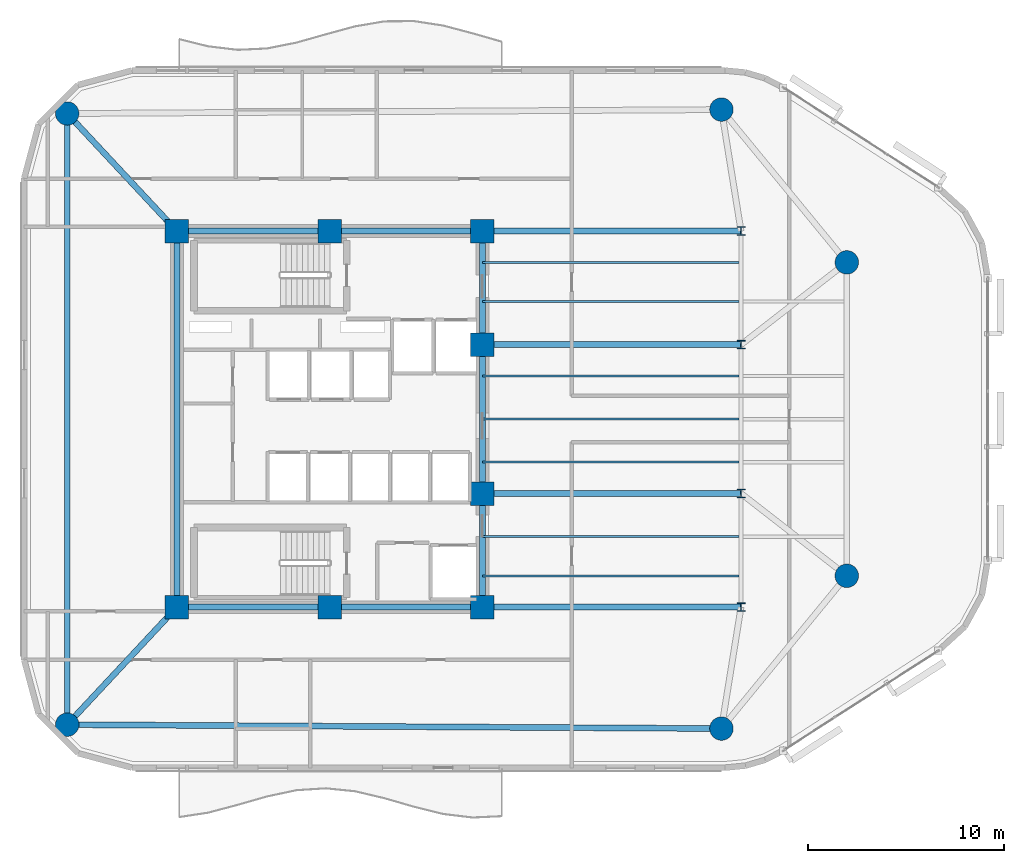
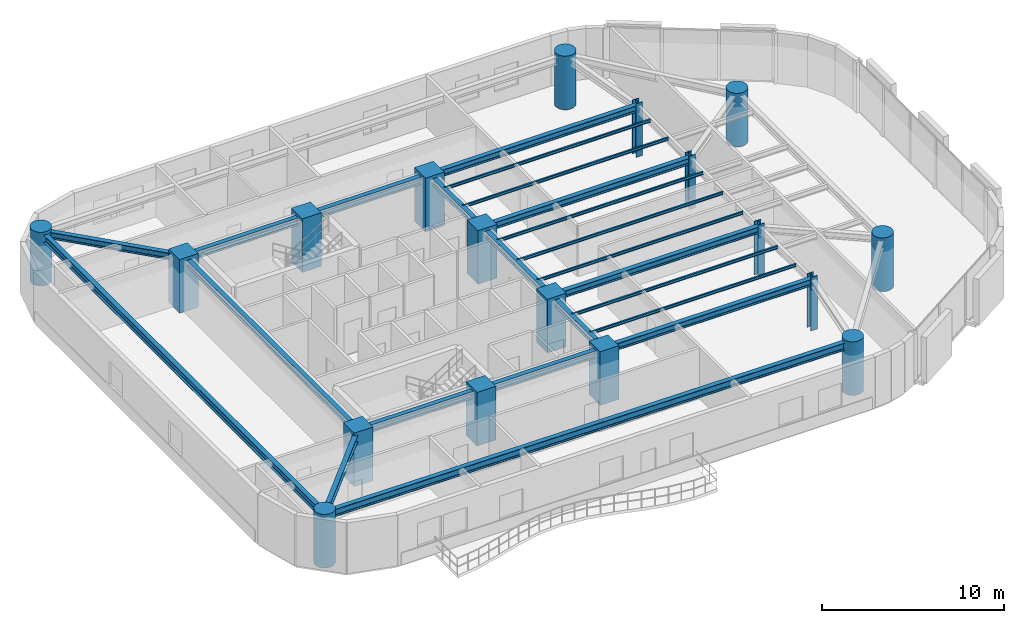
# One storey, part 1 of 14: 21 beams, 18 columns.
"""IFC4 building model written with IfcOpenShell, lengths in metres."""

from ifc_helpers import new_model, si_unit, direction, frame, origin, origin_2d, place, context, subcontext, project, spatial, rectangle, circle, i_section, extrude, material, material_profile, profile_set, type_object, element, save


model = new_model("IFC4")

# Units and contexts
model_context = context("Model", 3, precision=1e-05, world=origin(), true_north=direction((0.0, 1.0)))
body_context = subcontext(model_context, "Body", "Model", "MODEL_VIEW")
ifc_project = project(units=[si_unit("LENGTHUNIT", "METRE"), si_unit("AREAUNIT", "SQUARE_METRE"), si_unit("VOLUMEUNIT", "CUBIC_METRE"), si_unit("PLANEANGLEUNIT", "RADIAN"), si_unit("MASSUNIT", "GRAM", prefix="KILO")], contexts=[model_context])

# Site, building, storey
site_placement = place(None, origin())
site = spatial("IfcSite", under=ifc_project, at=site_placement, CompositionType="ELEMENT")
building_placement = place(site_placement, origin())
building = spatial("IfcBuilding", under=site, at=building_placement, Name="An Khanh Terracotta Commons", CompositionType="ELEMENT")
storey_placement = place(building_placement, frame((0.0, 0.0, 158.199951171875)))
storey = spatial("IfcBuildingStorey", under=building, at=storey_placement, Name="L41", CompositionType="ELEMENT", Elevation=158.199951171875)

# Columns
ifc_material_1 = material(Name="Concrete C60/75", Category="concrete")
ifc_material_profile_1 = material_profile(ifc_material_1, circle(Radius=0.60009765625, at=origin_2d()), Name="CFST1200")
ifc_profile_set_1 = profile_set([ifc_material_profile_1], Name="Concrete C60/75")
column_type_1 = type_object("IfcColumnType", Name="COL-CFST1200", PredefinedType="COLUMN", material=ifc_profile_set_1)
for number, where, z_axis, x_axis, name in (
    (1, (16.0, 8.39990234375, 0.0), (0.0, 0.0, 1.0), (1.0, 0.0, 0.0), "L41 Perimeter CFST Mega-Column MC-01"),
    (2, (49.39990234375, 8.199951171875, 0.0), (0.0, 0.0, 1.0), (1.0, 0.0, 0.0), "L41 Perimeter CFST Mega-Column MC-02"),
    (3, (55.800048828125, 16.0, 0.0), (0.0, 0.0, 1.0), (1.0, 0.0, 0.0), "L41 Perimeter CFST Mega-Column MC-03"),
    (4, (55.800048828125, 32.0, 0.0), (0.0, 0.0, 1.0), (1.0, 0.0, 0.0), "L41 Perimeter CFST Mega-Column MC-04"),
    (5, (49.39990234375, 39.800048828125, 0.0), (0.0, 0.0, 1.0), (1.0, 0.0, 0.0), "L41 Perimeter CFST Mega-Column MC-05"),
    (6, (16.0, 39.60009765625, 0.0), (0.0, 0.0, 1.0), (1.0, 0.0, 0.0), "L41 Perimeter CFST Mega-Column MC-06"),
):
    element("IfcColumn", number, at=place(storey_placement, frame(where, z_axis=z_axis, x_axis=x_axis)), inside=storey, type_object=column_type_1, Name=name, PredefinedType="COLUMN", context=body_context, shape_type="SweptSolid", body=[
        extrude(circle(Radius=0.60009765625, at=origin_2d()), origin(), (0.0, 0.0, 1.0), 3.60009765625),
    ])
ifc_material_2 = material(Name="Steel S460ML", Category="steel")
ifc_material_profile_2 = material_profile(ifc_material_2, i_section(OverallWidth=0.406005859375, OverallDepth=0.43994140625, WebThickness=0.02392578125, FlangeThickness=0.0390625, FilletRadius=0.014892578125, at=origin_2d()), Name="HD400x314")
ifc_profile_set_2 = profile_set([ifc_material_profile_2], Name="Steel S460ML")
column_type_2 = type_object("IfcColumnType", Name="COL-HD400x314", PredefinedType="COLUMN", material=ifc_profile_set_2)
for number, where, z_axis, x_axis, name in (
    (7, (50.39990234375, 14.39990234375, 0.0), (0.0, 0.0, 1.0), (1.0, 0.0, 0.0), "L41 Interior Frame Column TC-01"),
    (8, (50.39990234375, 20.199951171875, 0.0), (0.0, 0.0, 1.0), (1.0, 0.0, 0.0), "L41 Interior Frame Column TC-02"),
    (9, (50.39990234375, 27.800048828125, 0.0), (0.0, 0.0, 1.0), (1.0, 0.0, 0.0), "L41 Interior Frame Column TC-03"),
    (10, (50.39990234375, 33.60009765625, 0.0), (0.0, 0.0, 1.0), (1.0, 0.0, 0.0), "L41 Interior Frame Column TC-04"),
):
    element("IfcColumn", number, at=place(storey_placement, frame(where, z_axis=z_axis, x_axis=x_axis)), inside=storey, type_object=column_type_2, Name=name, PredefinedType="COLUMN", context=body_context, shape_type="SweptSolid", body=[
        extrude(i_section(OverallWidth=0.406005859375, OverallDepth=0.43994140625, WebThickness=0.02392578125, FlangeThickness=0.0390625, FilletRadius=0.014892578125, at=origin_2d()), origin(), (0.0, 0.0, 1.0), 3.60009765625),
    ])
ifc_material_profile_3 = material_profile(ifc_material_1, rectangle(XDim=1.199951171875, YDim=1.199951171875, at=origin_2d()), Name="RC1200x1200")
ifc_profile_set_3 = profile_set([ifc_material_profile_3], Name="Concrete C60/75")
column_type_3 = type_object("IfcColumnType", Name="COL-RC1200x1200", PredefinedType="COLUMN", material=ifc_profile_set_3)
for number, where, z_axis, x_axis, name in (
    (11, (21.60009765625, 14.39990234375, 0.0), (0.0, 0.0, 1.0), (1.0, 0.0, 0.0), "L41 Core Boundary Column CC-01"),
    (12, (29.39990234375, 14.39990234375, 0.0), (0.0, 0.0, 1.0), (1.0, 0.0, 0.0), "L41 Core Boundary Column CC-02"),
    (13, (37.199951171875, 14.39990234375, 0.0), (0.0, 0.0, 1.0), (1.0, 0.0, 0.0), "L41 Core Boundary Column CC-03"),
    (14, (37.199951171875, 20.199951171875, 0.0), (0.0, 0.0, 1.0), (1.0, 0.0, 0.0), "L41 Core Boundary Column CC-04"),
    (15, (37.199951171875, 27.800048828125, 0.0), (0.0, 0.0, 1.0), (1.0, 0.0, 0.0), "L41 Core Boundary Column CC-05"),
    (16, (37.199951171875, 33.60009765625, 0.0), (0.0, 0.0, 1.0), (1.0, 0.0, 0.0), "L41 Core Boundary Column CC-06"),
    (17, (29.39990234375, 33.60009765625, 0.0), (0.0, 0.0, 1.0), (1.0, 0.0, 0.0), "L41 Core Boundary Column CC-07"),
    (18, (21.60009765625, 33.60009765625, 0.0), (0.0, 0.0, 1.0), (1.0, 0.0, 0.0), "L41 Core Boundary Column CC-08"),
):
    element("IfcColumn", number, at=place(storey_placement, frame(where, z_axis=z_axis, x_axis=x_axis)), inside=storey, type_object=column_type_3, Name=name, PredefinedType="COLUMN", context=body_context, shape_type="SweptSolid", body=[
        extrude(rectangle(XDim=1.199951171875, YDim=1.199951171875, at=origin_2d()), origin(), (0.0, 0.0, 1.0), 3.60009765625),
    ])

# Beams
ifc_material_3 = material(Name="Steel S355J2", Category="steel")
ifc_material_profile_4 = material_profile(ifc_material_3, i_section(OverallWidth=0.300048828125, OverallDepth=0.449951171875, WebThickness=0.013916015625, FlangeThickness=0.02587890625, FilletRadius=0.027099609375, at=origin_2d()), Name="HEB450")
ifc_profile_set_4 = profile_set([ifc_material_profile_4], Name="Steel S355J2")
beam_type_1 = type_object("IfcBeamType", Name="BM-HEB450", PredefinedType="BEAM", material=ifc_profile_set_4)
beam_1_placement = place(storey_placement, frame((37.199951171875, 14.39990234375, 3.175048828125), z_axis=(0.0, 1.0, 0.0), x_axis=(-1.0, 0.0, 0.0)))
element("IfcBeam", 19, at=beam_1_placement, inside=storey, type_object=beam_type_1, Name="L41 Core East Coupling Girder 1", PredefinedType="BEAM", context=body_context, shape_type="SweptSolid", body=[
    extrude(i_section(OverallWidth=0.300048828125, OverallDepth=0.449951171875, WebThickness=0.013916015625, FlangeThickness=0.02587890625, FilletRadius=0.027099609375, at=origin_2d()), origin(), (0.0, 0.0, 1.0), 5.800048828125),
])
beam_2_placement = place(storey_placement, frame((37.199951171875, 20.199951171875, 3.175048828125), z_axis=(0.0, 1.0, 0.0), x_axis=(-1.0, 0.0, 0.0)))
element("IfcBeam", 20, at=beam_2_placement, inside=storey, type_object=beam_type_1, Name="L41 Core East Coupling Girder 2", PredefinedType="BEAM", context=body_context, shape_type="SweptSolid", body=[
    extrude(i_section(OverallWidth=0.300048828125, OverallDepth=0.449951171875, WebThickness=0.013916015625, FlangeThickness=0.02587890625, FilletRadius=0.027099609375, at=origin_2d()), origin(), (0.0, 0.0, 1.0), 7.60009765625),
])
beam_3_placement = place(storey_placement, frame((37.199951171875, 27.800048828125, 3.175048828125), z_axis=(0.0, 1.0, 0.0), x_axis=(-1.0, 0.0, 0.0)))
element("IfcBeam", 21, at=beam_3_placement, inside=storey, type_object=beam_type_1, Name="L41 Core East Coupling Girder 3", PredefinedType="BEAM", context=body_context, shape_type="SweptSolid", body=[
    extrude(i_section(OverallWidth=0.300048828125, OverallDepth=0.449951171875, WebThickness=0.013916015625, FlangeThickness=0.02587890625, FilletRadius=0.027099609375, at=origin_2d()), origin(), (0.0, 0.0, 1.0), 5.800048828125),
])
beam_4_placement = place(storey_placement, frame((21.60009765625, 14.39990234375, 3.175048828125), z_axis=(0.0, 1.0, 0.0), x_axis=(-1.0, 0.0, 0.0)))
element("IfcBeam", 22, at=beam_4_placement, inside=storey, type_object=beam_type_1, Name="L41 Core West Coupling Girder", PredefinedType="BEAM", context=body_context, shape_type="SweptSolid", body=[
    extrude(i_section(OverallWidth=0.300048828125, OverallDepth=0.449951171875, WebThickness=0.013916015625, FlangeThickness=0.02587890625, FilletRadius=0.027099609375, at=origin_2d()), origin(), (0.0, 0.0, 1.0), 19.2001953125),
])
for number, where, z_axis, x_axis, name in (
    (23, (37.199951171875, 14.39990234375, 3.175048828125), (1.0, 0.0, 0.0), (0.0, 1.0, 0.0), "L41 East Primary Floor Girder 1"),
    (24, (37.199951171875, 20.199951171875, 3.175048828125), (1.0, 0.0, 0.0), (0.0, 1.0, 0.0), "L41 East Primary Floor Girder 2"),
    (25, (37.199951171875, 27.800048828125, 3.175048828125), (1.0, 0.0, 0.0), (0.0, 1.0, 0.0), "L41 East Primary Floor Girder 3"),
    (26, (37.199951171875, 33.60009765625, 3.175048828125), (1.0, 0.0, 0.0), (0.0, 1.0, 0.0), "L41 East Primary Floor Girder 4"),
):
    element("IfcBeam", number, at=place(storey_placement, frame(where, z_axis=z_axis, x_axis=x_axis)), inside=storey, type_object=beam_type_1, Name=name, PredefinedType="BEAM", context=body_context, shape_type="SweptSolid", body=[
        extrude(i_section(OverallWidth=0.300048828125, OverallDepth=0.449951171875, WebThickness=0.013916015625, FlangeThickness=0.02587890625, FilletRadius=0.027099609375, at=origin_2d()), origin(), (0.0, 0.0, 1.0), 13.199951171875),
    ])
for number, where, z_axis, x_axis, name in (
    (27, (16.0, 8.39990234375, 3.175048828125), (0.682324609438, 0.731049333052, 0.0), (-0.731049333052, 0.682324609438, 0.0), "L41 Mega-Column Tie Girder 1"),
    (28, (16.0, 39.60009765625, 3.175048828125), (0.682324609438, -0.731049333052, 0.0), (0.731049333052, 0.682324609438, 0.0), "L41 Mega-Column Tie Girder 6"),
):
    element("IfcBeam", number, at=place(storey_placement, frame(where, z_axis=z_axis, x_axis=x_axis)), inside=storey, type_object=beam_type_1, Name=name, PredefinedType="BEAM", context=body_context, shape_type="SweptSolid", body=[
        extrude(i_section(OverallWidth=0.300048828125, OverallDepth=0.449951171875, WebThickness=0.013916015625, FlangeThickness=0.02587890625, FilletRadius=0.027099609375, at=origin_2d()), origin(), (0.0, 0.0, 1.0), 8.207275390625),
    ])
ifc_material_profile_5 = material_profile(ifc_material_3, i_section(OverallWidth=0.300048828125, OverallDepth=0.5, WebThickness=0.014404296875, FlangeThickness=0.028076171875, FilletRadius=0.027099609375, at=origin_2d()), Name="HEB500")
ifc_profile_set_5 = profile_set([ifc_material_profile_5], Name="Steel S355J2")
beam_type_2 = type_object("IfcBeamType", Name="BM-HEB500", PredefinedType="BEAM", material=ifc_profile_set_5)
for number, where, z_axis, x_axis, name in (
    (29, (21.60009765625, 14.39990234375, 3.150146484375), (1.0, 0.0, 0.0), (0.0, 1.0, 0.0), "L41 Core South Coupling Girder"),
    (30, (21.60009765625, 33.60009765625, 3.150146484375), (1.0, 0.0, 0.0), (0.0, 1.0, 0.0), "L41 Core North Coupling Girder"),
):
    element("IfcBeam", number, at=place(storey_placement, frame(where, z_axis=z_axis, x_axis=x_axis)), inside=storey, type_object=beam_type_2, Name=name, PredefinedType="BEAM", context=body_context, shape_type="SweptSolid", body=[
        extrude(i_section(OverallWidth=0.300048828125, OverallDepth=0.5, WebThickness=0.014404296875, FlangeThickness=0.028076171875, FilletRadius=0.027099609375, at=origin_2d()), origin(), (0.0, 0.0, 1.0), 15.599853515625),
    ])
beam_5_placement = place(storey_placement, frame((16.0, 8.39990234375, 3.150146484375), z_axis=(0.999982080914, -0.005986472262, 0.0), x_axis=(0.005986472262, 0.999982080914, 0.0)))
element("IfcBeam", 31, at=beam_5_placement, inside=storey, type_object=beam_type_2, Name="L41 Perimeter Ring Spandrel 1", PredefinedType="BEAM", context=body_context, shape_type="SweptSolid", body=[
    extrude(i_section(OverallWidth=0.300048828125, OverallDepth=0.5, WebThickness=0.014404296875, FlangeThickness=0.028076171875, FilletRadius=0.027099609375, at=origin_2d()), origin(), (0.0, 0.0, 1.0), 33.400390625),
])
beam_6_placement = place(storey_placement, frame((16.0, 39.60009765625, 3.150146484375), z_axis=(0.0, -1.0, 0.0), x_axis=(1.0, 0.0, 0.0)))
element("IfcBeam", 32, at=beam_6_placement, inside=storey, type_object=beam_type_2, Name="L41 Perimeter Ring Spandrel 6", PredefinedType="BEAM", context=body_context, shape_type="SweptSolid", body=[
    extrude(i_section(OverallWidth=0.300048828125, OverallDepth=0.5, WebThickness=0.014404296875, FlangeThickness=0.028076171875, FilletRadius=0.027099609375, at=origin_2d()), origin(), (0.0, 0.0, 1.0), 31.2001953125),
])
ifc_material_profile_6 = material_profile(ifc_material_3, i_section(OverallWidth=0.10009765625, OverallDepth=0.199951171875, WebThickness=0.005615234375, FlangeThickness=0.008544921875, FilletRadius=0.011962890625, at=origin_2d()), Name="IPE200")
ifc_profile_set_6 = profile_set([ifc_material_profile_6], Name="Steel S355J2")
beam_type_3 = type_object("IfcBeamType", Name="BM-IPE200", PredefinedType="JOIST", material=ifc_profile_set_6)
for number, where, z_axis, x_axis, name in (
    (33, (37.199951171875, 16.0, 3.300048828125), (1.0, 0.0, 0.0), (0.0, 1.0, 0.0), "L41 Inboard Composite Joist 1"),
    (34, (37.199951171875, 18.0, 3.300048828125), (1.0, 0.0, 0.0), (0.0, 1.0, 0.0), "L41 Inboard Composite Joist 2"),
    (35, (37.199951171875, 21.800048828125, 3.300048828125), (1.0, 0.0, 0.0), (0.0, 1.0, 0.0), "L41 Inboard Composite Joist 3"),
    (36, (37.199951171875, 24.0, 3.300048828125), (1.0, 0.0, 0.0), (0.0, 1.0, 0.0), "L41 Inboard Composite Joist 4"),
    (37, (37.199951171875, 26.199951171875, 3.300048828125), (1.0, 0.0, 0.0), (0.0, 1.0, 0.0), "L41 Inboard Composite Joist 5"),
    (38, (37.199951171875, 30.0, 3.300048828125), (1.0, 0.0, 0.0), (0.0, 1.0, 0.0), "L41 Inboard Composite Joist 6"),
    (39, (37.199951171875, 32.0, 3.300048828125), (1.0, 0.0, 0.0), (0.0, 1.0, 0.0), "L41 Inboard Composite Joist 7"),
):
    element("IfcBeam", number, at=place(storey_placement, frame(where, z_axis=z_axis, x_axis=x_axis)), inside=storey, type_object=beam_type_3, Name=name, PredefinedType="JOIST", context=body_context, shape_type="SweptSolid", body=[
        extrude(i_section(OverallWidth=0.10009765625, OverallDepth=0.199951171875, WebThickness=0.005615234375, FlangeThickness=0.008544921875, FilletRadius=0.011962890625, at=origin_2d()), origin(), (0.0, 0.0, 1.0), 13.10009765625),
    ])

save(model, "model.ifc")
